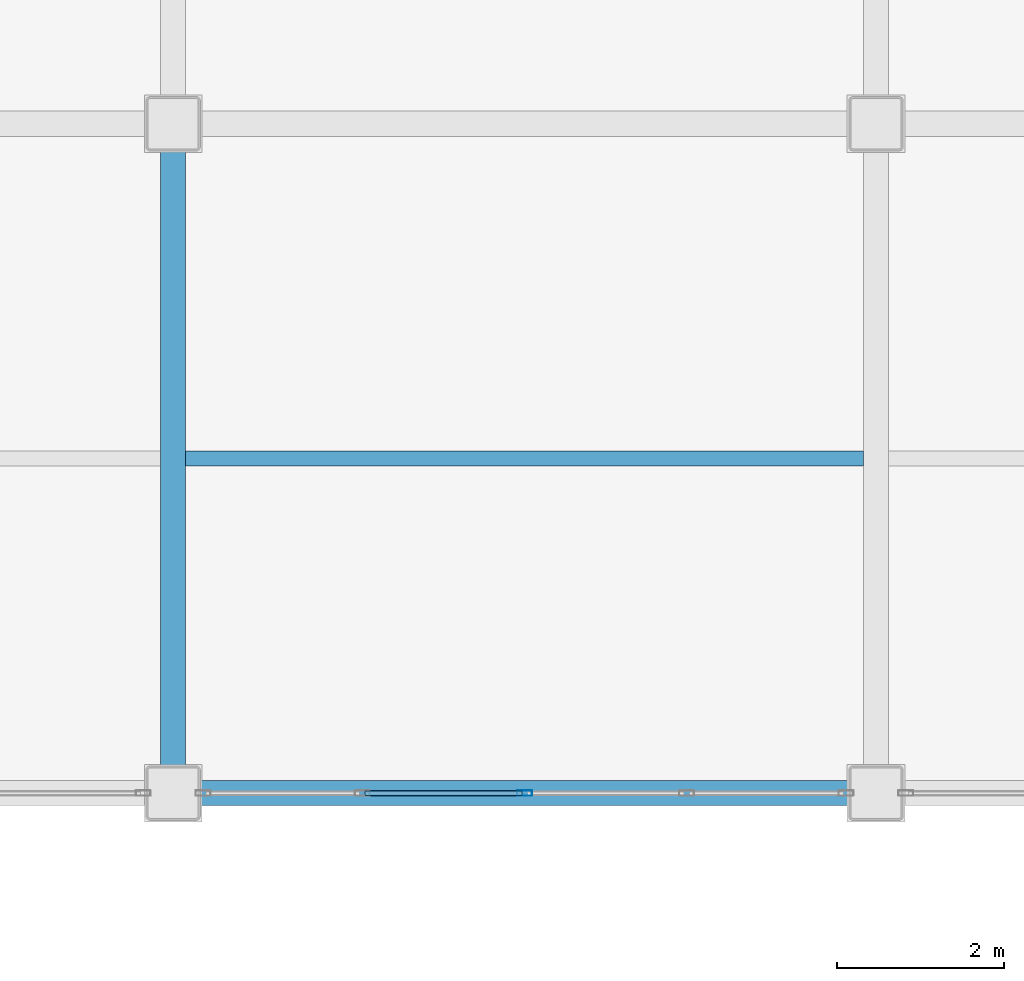
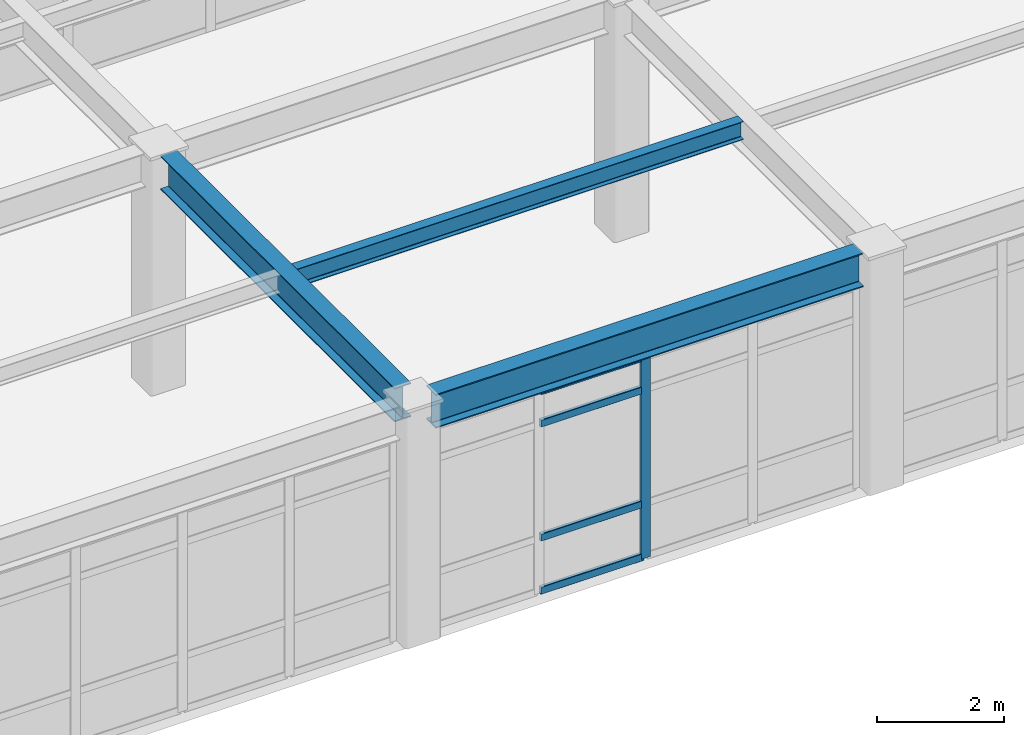
# One storey, part 30 of 93: 5 members, 3 beams, 1 element without a shape of its own.
"""IFC4 building model written with IfcOpenShell, lengths in metres."""

from ifc_helpers import new_model, si_unit, direction, frame, origin, origin_2d, place, context, subcontext, project, spatial, hollow_rectangle, i_section, extrude, material, layer, layer_set, material_profile, profile_set, type_object, element, aggregate, save


model = new_model("IFC4")

# Units and contexts
model_context = context("Model", 3, precision=1e-05, world=origin(), true_north=direction((0.0, 1.0)))
body_context = subcontext(model_context, "Body", "Model", "MODEL_VIEW")
ifc_project = project(units=[si_unit("LENGTHUNIT", "METRE"), si_unit("AREAUNIT", "SQUARE_METRE"), si_unit("VOLUMEUNIT", "CUBIC_METRE"), si_unit("PLANEANGLEUNIT", "RADIAN"), si_unit("MASSUNIT", "GRAM", prefix="KILO")], contexts=[model_context])

# Site, building, storey
site_placement = place(None, origin())
site = spatial("IfcSite", under=ifc_project, at=site_placement, CompositionType="ELEMENT")
building_placement = place(site_placement, origin())
building = spatial("IfcBuilding", under=site, at=building_placement, Name="Kazehara Bluff Congress Hotel", CompositionType="ELEMENT")
storey_placement = place(building_placement, frame((0.0, 0.0, 15.0)))
storey = spatial("IfcBuildingStorey", under=building, at=storey_placement, Name="L03", CompositionType="ELEMENT", Elevation=15.0)

# Curtain wall, members
ifc_material_1 = material(Name="Anodised aluminium", Category="aluminium")
ifc_layer = layer(ifc_material_1, 0.159912109375)
ifc_layer_set = layer_set([ifc_layer], Name="Anodised aluminium")
curtain_wall_type = type_object("IfcCurtainWallType", Name="TP-CW-24", PredefinedType="NOTDEFINED", material=ifc_layer_set)
curtain_wall_placement = place(storey_placement, origin())
curtain_wall = element("IfcCurtainWall", 1, at=curtain_wall_placement, inside=storey, type_object=curtain_wall_type, Name="L03 curtain wall CW-24 CW-V5-L03-Y1600-12722", PredefinedType="NOTDEFINED")
ifc_material_2 = material(Name="Anodised aluminium", Category="aluminium")
ifc_material_profile_1 = material_profile(ifc_material_2, hollow_rectangle(XDim=0.06494140625, YDim=0.179931640625, WallThickness=0.00390625, InnerFilletRadius=0.00390625, OuterFilletRadius=0.008056640625, at=origin_2d()))
ifc_profile_set_1 = profile_set([ifc_material_profile_1], Name="Anodised aluminium")
member_type_1 = type_object("IfcMemberType", Name="TP-CWM-02", PredefinedType="MULLION", material=ifc_profile_set_1)
member_1_placement = place(storey_placement, frame((131.10009765625, 16.0, 0.0), z_axis=(0.0, 0.0, 1.0), x_axis=(0.0, 1.0, 0.0)))
member_1 = element("IfcMember", 2, at=member_1_placement, type_object=member_type_1, Name="CW-24 mullion 3", PredefinedType="MULLION", context=body_context, shape_type="SweptSolid", body=[
    extrude(hollow_rectangle(XDim=0.06494140625, YDim=0.179931640625, WallThickness=0.00390625, InnerFilletRadius=0.00390625, OuterFilletRadius=0.008056640625, at=origin_2d()), origin(), (0.0, 0.0, 1.0), 3.885009765625),
])
ifc_material_3 = material(Name="Anodised aluminium", Category="aluminium")
ifc_material_profile_2 = material_profile(ifc_material_3, hollow_rectangle(XDim=0.06494140625, YDim=0.139892578125, WallThickness=0.00390625, InnerFilletRadius=0.00390625, OuterFilletRadius=0.008056640625, at=origin_2d()))
ifc_profile_set_2 = profile_set([ifc_material_profile_2], Name="Anodised aluminium")
member_type_2 = type_object("IfcMemberType", Name="TP-CWT-02", PredefinedType="USERDEFINED", material=ifc_profile_set_2)
member_2_placement = place(storey_placement, frame((129.195068359375, 16.0, 0.032470703125), z_axis=(1.0, 0.0, 0.0), x_axis=(0.0, 1.0, 0.0)))
member_2 = element("IfcMember", 3, at=member_2_placement, type_object=member_type_2, Name="CW-24 transom 2.1", ObjectType="TRANSOM", PredefinedType="USERDEFINED", context=body_context, shape_type="SweptSolid", body=[
    extrude(hollow_rectangle(XDim=0.06494140625, YDim=0.139892578125, WallThickness=0.00390625, InnerFilletRadius=0.00390625, OuterFilletRadius=0.008056640625, at=origin_2d()), origin(), (0.0, 0.0, 1.0), 1.872314453125),
])
member_3_placement = place(storey_placement, frame((129.195068359375, 16.0, 1.050048828125), z_axis=(1.0, 0.0, 0.0), x_axis=(0.0, 1.0, 0.0)))
member_3 = element("IfcMember", 4, at=member_3_placement, type_object=member_type_2, Name="CW-24 transom 2.2", ObjectType="TRANSOM", PredefinedType="USERDEFINED", context=body_context, shape_type="SweptSolid", body=[
    extrude(hollow_rectangle(XDim=0.06494140625, YDim=0.139892578125, WallThickness=0.00390625, InnerFilletRadius=0.00390625, OuterFilletRadius=0.008056640625, at=origin_2d()), origin(), (0.0, 0.0, 1.0), 1.872314453125),
])
member_4_placement = place(storey_placement, frame((129.195068359375, 16.0, 3.235107421875), z_axis=(1.0, 0.0, 0.0), x_axis=(0.0, 1.0, 0.0)))
member_4 = element("IfcMember", 5, at=member_4_placement, type_object=member_type_2, Name="CW-24 transom 2.3", ObjectType="TRANSOM", PredefinedType="USERDEFINED", context=body_context, shape_type="SweptSolid", body=[
    extrude(hollow_rectangle(XDim=0.06494140625, YDim=0.139892578125, WallThickness=0.00390625, InnerFilletRadius=0.00390625, OuterFilletRadius=0.008056640625, at=origin_2d()), origin(), (0.0, 0.0, 1.0), 1.872314453125),
])
member_5_placement = place(storey_placement, frame((129.195068359375, 16.0, 3.8525390625), z_axis=(1.0, 0.0, 0.0), x_axis=(0.0, 1.0, 0.0)))
member_5 = element("IfcMember", 6, at=member_5_placement, type_object=member_type_2, Name="CW-24 transom 2.4", ObjectType="TRANSOM", PredefinedType="USERDEFINED", context=body_context, shape_type="SweptSolid", body=[
    extrude(hollow_rectangle(XDim=0.06494140625, YDim=0.139892578125, WallThickness=0.00390625, InnerFilletRadius=0.00390625, OuterFilletRadius=0.008056640625, at=origin_2d()), origin(), (0.0, 0.0, 1.0), 1.872314453125),
])
aggregate(curtain_wall, [member_1, member_2, member_3, member_4, member_5])

# Beams
ifc_material_4 = material(Name="Steel SN490B", Category="steel")
ifc_material_profile_3 = material_profile(ifc_material_4, i_section(OverallWidth=0.300048828125, OverallDepth=0.64990234375, WebThickness=0.011962890625, FlangeThickness=0.02001953125, FilletRadius=0.012939453125, at=origin_2d()))
ifc_profile_set_3 = profile_set([ifc_material_profile_3], Name="Steel SN490B")
beam_type_1 = type_object("IfcBeamType", Name="TP-G-03", PredefinedType="BEAM", material=ifc_profile_set_3)
beam_1_placement = place(storey_placement, frame((126.89990234375, 16.324951171875, 4.235107421875), z_axis=(0.0, 1.0, 0.0), x_axis=(-1.0, 0.0, 0.0)))
element("IfcBeam", 7, at=beam_1_placement, inside=storey, type_object=beam_type_1, Name="L03 girder G-03 105", PredefinedType="BEAM", context=body_context, shape_type="SweptSolid", body=[
    extrude(i_section(OverallWidth=0.300048828125, OverallDepth=0.64990234375, WebThickness=0.011962890625, FlangeThickness=0.02001953125, FilletRadius=0.012939453125, at=origin_2d()), origin(), (0.0, 0.0, 1.0), 7.35009765625),
])
beam_2_placement = place(storey_placement, frame((127.22509765625, 16.0, 4.235107421875), z_axis=(1.0, 0.0, 0.0), x_axis=(0.0, 1.0, 0.0)))
element("IfcBeam", 8, at=beam_2_placement, inside=storey, type_object=beam_type_1, Name="L03 girder G-03 159", PredefinedType="BEAM", context=body_context, shape_type="SweptSolid", body=[
    extrude(i_section(OverallWidth=0.300048828125, OverallDepth=0.64990234375, WebThickness=0.011962890625, FlangeThickness=0.02001953125, FilletRadius=0.012939453125, at=origin_2d()), origin(), (0.0, 0.0, 1.0), 7.75),
])
ifc_material_5 = material(Name="Steel SN400B", Category="steel")
ifc_material_profile_4 = material_profile(ifc_material_5, i_section(OverallWidth=0.175048828125, OverallDepth=0.35009765625, WebThickness=0.007080078125, FlangeThickness=0.010986328125, FilletRadius=0.012939453125, at=origin_2d()))
ifc_profile_set_4 = profile_set([ifc_material_profile_4], Name="Steel SN400B")
beam_type_2 = type_object("IfcBeamType", Name="TP-J-02", PredefinedType="JOIST", material=ifc_profile_set_4)
beam_3_placement = place(storey_placement, frame((127.050048828125, 20.0, 4.385009765625), z_axis=(1.0, 0.0, 0.0), x_axis=(0.0, 1.0, 0.0)))
element("IfcBeam", 9, at=beam_3_placement, inside=storey, type_object=beam_type_2, Name="L03 secondary joist J-02 26", PredefinedType="JOIST", context=body_context, shape_type="SweptSolid", body=[
    extrude(i_section(OverallWidth=0.175048828125, OverallDepth=0.35009765625, WebThickness=0.007080078125, FlangeThickness=0.010986328125, FilletRadius=0.012939453125, at=origin_2d()), origin(), (0.0, 0.0, 1.0), 8.099853515625),
])

save(model, "model.ifc")
